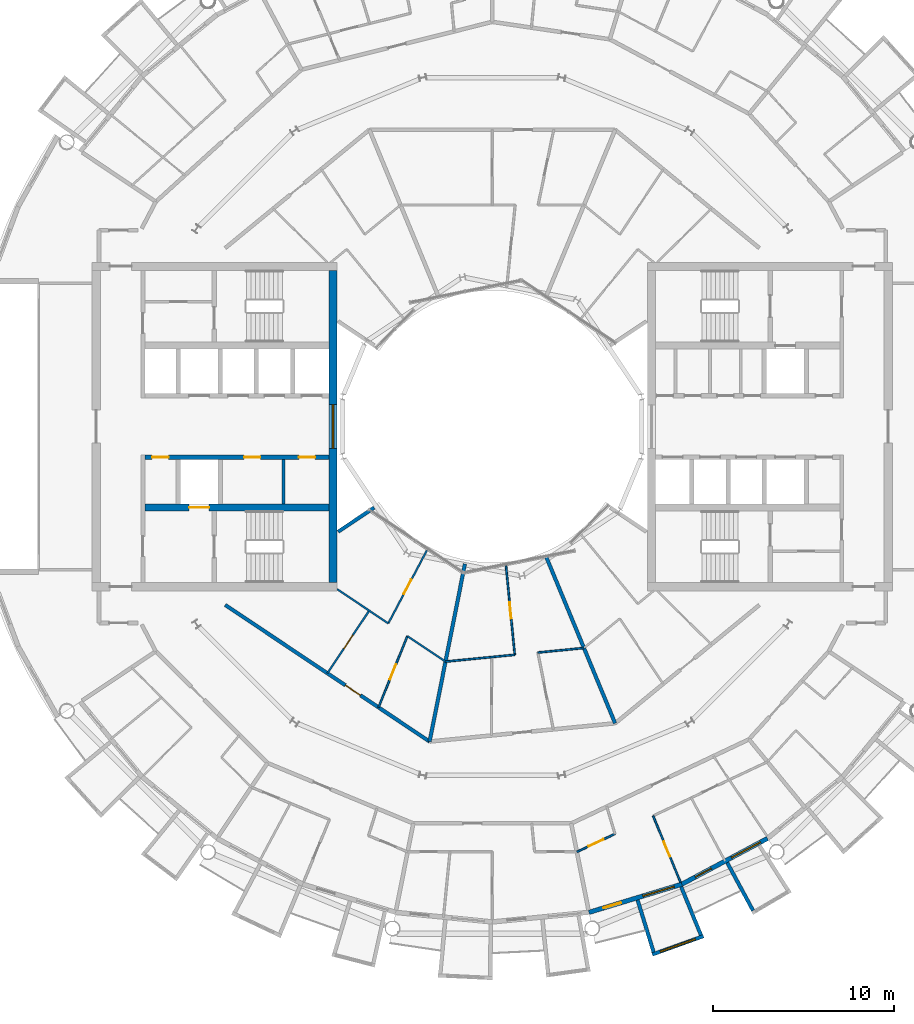
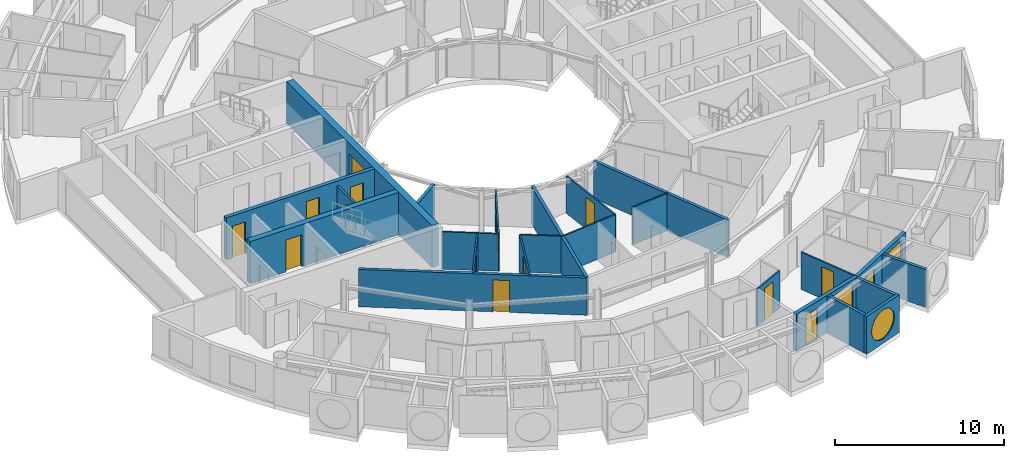
# One storey, part 17 of 29: 24 walls, 13 doors, 4 windows, 17 openings.
"""IFC4 building model written with IfcOpenShell, lengths in metres."""

from ifc_helpers import new_model, si_unit, direction, frame, frame_2d, origin, place, context, subcontext, project, spatial, rectangle, circle, extrude, material, layer, layer_set, type_object, element, fill, save


model = new_model("IFC4")

# Units and contexts
model_context = context("Model", 3, precision=1e-05, world=origin(), true_north=direction((0.0, 1.0)))
body_context = subcontext(model_context, "Body", "Model", "MODEL_VIEW")
ifc_project = project(units=[si_unit("LENGTHUNIT", "METRE"), si_unit("AREAUNIT", "SQUARE_METRE"), si_unit("VOLUMEUNIT", "CUBIC_METRE"), si_unit("PLANEANGLEUNIT", "RADIAN"), si_unit("MASSUNIT", "GRAM", prefix="KILO")], contexts=[model_context])

# Site, building, storey
site_placement = place(None, origin())
site = spatial("IfcSite", under=ifc_project, at=site_placement, CompositionType="ELEMENT")
building_placement = place(site_placement, origin())
building = spatial("IfcBuilding", under=site, at=building_placement, Name="Maasbend Ring Residences", CompositionType="ELEMENT")
storey_placement = place(building_placement, frame((0.0, 0.0, 212.699951171875)))
storey = spatial("IfcBuildingStorey", under=building, at=storey_placement, Name="L61", CompositionType="ELEMENT", Elevation=212.699951171875)

# Wall, openings, doors
ifc_material_1 = material(Name="Concrete C50/60", Category="concrete")
ifc_layer_1 = layer(ifc_material_1, 0.25)
ifc_layer_set_1 = layer_set([ifc_layer_1], Name="Concrete C50/60")
wall_type_1 = type_object("IfcWallType", Name="CORE WALL 250 C50/60", PredefinedType="SHEAR", material=ifc_layer_set_1)
wall_1_placement = place(storey_placement, frame((-9.0, -1.699951171875, 0.0), z_axis=(0.0, 0.0, 1.0), x_axis=(-1.0, 0.0, 0.0)))
wall_1 = element("IfcWall", 1, at=wall_1_placement, inside=storey, type_object=wall_type_1, Name="L61 core W wall SPN", PredefinedType="SHEAR", context=body_context, shape_type="SweptSolid", body=[
    extrude(rectangle(XDim=10.14990234375, YDim=0.25, at=frame_2d((5.074951171875, 0.0))), origin(), (0.0, 0.0, 1.0), 3.050048828125),
])
opening_1_placement = place(wall_1_placement, frame((0.762451171875, 0.0, 0.0)))
opening_1 = element("IfcOpeningElement", 2, at=opening_1_placement, cuts=wall_1, Name="Opening D-W6106", PredefinedType="OPENING", context=body_context, shape_type="SweptSolid", body=[
    extrude(rectangle(XDim=0.89990234375, YDim=2.300048828125, at=frame_2d((0.449951171875, 1.14990234375))), frame((0.0, 0.135009765625, 0.0), z_axis=(0.0, -1.0, 0.0), x_axis=(1.0, 0.0, 0.0)), (0.0, 0.0, 1.0), 0.27001953125),
])
opening_2_placement = place(wall_1_placement, frame((3.77490234375, 0.0, 0.0)))
opening_2 = element("IfcOpeningElement", 3, at=opening_2_placement, cuts=wall_1, Name="Opening D-W6107", PredefinedType="OPENING", context=body_context, shape_type="SweptSolid", body=[
    extrude(rectangle(XDim=0.89990234375, YDim=2.300048828125, at=frame_2d((0.449951171875, 1.14990234375))), frame((0.0, 0.135009765625, 0.0), z_axis=(0.0, -1.0, 0.0), x_axis=(1.0, 0.0, 0.0)), (0.0, 0.0, 1.0), 0.27001953125),
])
opening_3_placement = place(wall_1_placement, frame((8.83740234375, 0.0, 0.0)))
opening_3 = element("IfcOpeningElement", 4, at=opening_3_placement, cuts=wall_1, Name="Opening D-W6108", PredefinedType="OPENING", context=body_context, shape_type="SweptSolid", body=[
    extrude(rectangle(XDim=0.89990234375, YDim=2.300048828125, at=frame_2d((0.449951171875, 1.14990234375))), frame((0.0, 0.135009765625, 0.0), z_axis=(0.0, -1.0, 0.0), x_axis=(1.0, 0.0, 0.0)), (0.0, 0.0, 1.0), 0.27001953125),
])
ifc_material_2 = material(Name="Steel, powder coated", Category="steel")
door_type_1 = type_object("IfcDoorType", Name="ROOM DOOR 900 X 2300 FD30S", OperationType="NOTDEFINED", PredefinedType="DOOR", material=ifc_material_2)
door_1_placement = place(opening_1_placement, origin())
door_1 = element("IfcDoor", 5, at=door_1_placement, inside=storey, type_object=door_type_1, Name="Room door L61", OperationType="SINGLE_SWING_RIGHT", OverallHeight=2.300048828125, OverallWidth=0.89990234375, PredefinedType="DOOR", context=body_context, shape_type="SweptSolid", body=[
    extrude(rectangle(XDim=0.89990234375, YDim=2.300048828125, at=frame_2d((0.449951171875, 1.14990234375))), frame((0.0, 0.02490234375, 0.0), z_axis=(0.0, -1.0, 0.0), x_axis=(1.0, 0.0, 0.0)), (0.0, 0.0, 1.0), 0.050048828125),
])
fill(opening_1, door_1)
door_2_placement = place(opening_2_placement, origin())
door_2 = element("IfcDoor", 6, at=door_2_placement, inside=storey, type_object=door_type_1, Name="Room door L61", OperationType="SINGLE_SWING_RIGHT", OverallHeight=2.300048828125, OverallWidth=0.89990234375, PredefinedType="DOOR", context=body_context, shape_type="SweptSolid", body=[
    extrude(rectangle(XDim=0.89990234375, YDim=2.300048828125, at=frame_2d((0.449951171875, 1.14990234375))), frame((0.0, 0.02490234375, 0.0), z_axis=(0.0, -1.0, 0.0), x_axis=(1.0, 0.0, 0.0)), (0.0, 0.0, 1.0), 0.050048828125),
])
fill(opening_2, door_2)
door_3_placement = place(opening_3_placement, origin())
door_3 = element("IfcDoor", 7, at=door_3_placement, inside=storey, type_object=door_type_1, Name="Room door L61", OperationType="SINGLE_SWING_LEFT", OverallHeight=2.300048828125, OverallWidth=0.89990234375, PredefinedType="DOOR", context=body_context, shape_type="SweptSolid", body=[
    extrude(rectangle(XDim=0.89990234375, YDim=2.300048828125, at=frame_2d((0.449951171875, 1.14990234375))), frame((0.0, 0.02490234375, 0.0), z_axis=(0.0, -1.0, 0.0), x_axis=(1.0, 0.0, 0.0)), (0.0, 0.0, 1.0), 0.050048828125),
])
fill(opening_3, door_3)

# Wall, opening, door
ifc_material_3 = material(Name="Concrete C50/60", Category="concrete")
ifc_layer_2 = layer(ifc_material_3, 0.375)
ifc_layer_set_2 = layer_set([ifc_layer_2], Name="Concrete C50/60")
wall_type_2 = type_object("IfcWallType", Name="CORE WALL 375 C50/60", PredefinedType="SHEAR", material=ifc_layer_set_2)
wall_2_placement = place(storey_placement, frame((-9.0, -4.46240234375, 0.0), z_axis=(0.0, 0.0, 1.0), x_axis=(-1.0, 0.0, 0.0)))
wall_2 = element("IfcWall", 8, at=wall_2_placement, inside=storey, type_object=wall_type_2, Name="L61 core W wall BN", PredefinedType="SHEAR", context=body_context, shape_type="SweptSolid", body=[
    extrude(rectangle(XDim=10.14990234375, YDim=0.375, at=frame_2d((5.074951171875, 0.0))), origin(), (0.0, 0.0, 1.0), 3.050048828125),
])
opening_4_placement = place(wall_2_placement, frame((6.60009765625, 0.0, 0.0)))
opening_4 = element("IfcOpeningElement", 9, at=opening_4_placement, cuts=wall_2, Name="Opening LD-W6101", PredefinedType="OPENING", context=body_context, shape_type="SweptSolid", body=[
    extrude(rectangle(XDim=1.10009765625, YDim=2.300048828125, at=frame_2d((0.550048828125, 1.14990234375))), frame((0.0, 0.197509765625, 0.0), z_axis=(0.0, -1.0, 0.0), x_axis=(1.0, 0.0, 0.0)), (0.0, 0.0, 1.0), 0.39501953125),
])
ifc_material_4 = material(Name="Stainless steel 316", Category="steel")
door_type_2 = type_object("IfcDoorType", Name="LANDING DOOR 1100 X 2300 FD60", OperationType="DOUBLE_DOOR_SLIDING", PredefinedType="DOOR", material=ifc_material_4)
door_4_placement = place(opening_4_placement, origin())
door_4 = element("IfcDoor", 10, at=door_4_placement, inside=storey, type_object=door_type_2, Name="Landing door FF-W L61", OperationType="DOUBLE_DOOR_SLIDING", OverallHeight=2.300048828125, OverallWidth=1.10009765625, PredefinedType="DOOR", context=body_context, shape_type="SweptSolid", body=[
    extrude(rectangle(XDim=1.10009765625, YDim=2.300048828125, at=frame_2d((0.550048828125, 1.14990234375))), frame((0.0, 0.02490234375, 0.0), z_axis=(0.0, -1.0, 0.0), x_axis=(1.0, 0.0, 0.0)), (0.0, 0.0, 1.0), 0.050048828125),
])
fill(opening_4, door_4)

# Wall, opening, window
ifc_material_5 = material(Name="Concrete C50/60", Category="concrete")
ifc_layer_3 = layer(ifc_material_5, 0.449951171875)
ifc_layer_set_3 = layer_set([ifc_layer_3], Name="Concrete C50/60")
wall_type_3 = type_object("IfcWallType", Name="CORE WALL 450 C50/60", PredefinedType="SHEAR", material=ifc_layer_set_3)
wall_3_placement = place(storey_placement, frame((-8.77490234375, 8.60009765625, 0.0), z_axis=(0.0, 0.0, 1.0), x_axis=(0.0, -1.0, 0.0)))
wall_3 = element("IfcWall", 11, at=wall_3_placement, inside=storey, type_object=wall_type_3, Name="L61 core W wall PIN", PredefinedType="SHEAR", context=body_context, shape_type="SweptSolid", body=[
    extrude(rectangle(XDim=17.2001953125, YDim=0.449951171875, at=frame_2d((8.60009765625, 0.0))), origin(), (0.0, 0.0, 1.0), 3.050048828125),
])
opening_5_placement = place(wall_3_placement, frame((7.39990234375, 0.0, 0.10009765625)))
opening_5 = element("IfcOpeningElement", 12, at=opening_5_placement, cuts=wall_3, Name="Opening W-W6101", PredefinedType="OPENING", context=body_context, shape_type="SweptSolid", body=[
    extrude(rectangle(XDim=2.39990234375, YDim=2.199951171875, at=frame_2d((1.199951171875, 1.10009765625))), frame((0.0, 0.23486328125, 0.0), z_axis=(0.0, -1.0, 0.0), x_axis=(1.0, 0.0, 0.0)), (0.0, 0.0, 1.0), 0.469970703125),
])
ifc_material_6 = material(Name="Aluminium frame and clear glass", Category="aluminium")
window_type_1 = type_object("IfcWindowType", Name="FIXED WINDOW 2400 X 2200", PartitioningType="SINGLE_PANEL", PredefinedType="WINDOW", material=ifc_material_6)
window_1_placement = place(opening_5_placement, origin())
window_1 = element("IfcWindow", 13, at=window_1_placement, inside=storey, type_object=window_type_1, Name="Lobby window L61", OverallHeight=2.199951171875, OverallWidth=2.39990234375, PartitioningType="SINGLE_PANEL", PredefinedType="WINDOW", context=body_context, shape_type="SweptSolid", body=[
    extrude(rectangle(XDim=2.39990234375, YDim=2.199951171875, at=frame_2d((1.199951171875, 1.10009765625))), frame((0.0, 0.030029296875, 0.0), z_axis=(0.0, -1.0, 0.0), x_axis=(1.0, 0.0, 0.0)), (0.0, 0.0, 1.0), 0.06005859375),
])
fill(opening_5, window_1)

# Wall, opening, door
ifc_material_7 = material(Name="Concrete C30/37", Category="concrete")
ifc_layer_4 = layer(ifc_material_7, 0.199951171875)
ifc_layer_set_4 = layer_set([ifc_layer_4], Name="Concrete C30/37")
wall_type_4 = type_object("IfcWallType", Name="CORRIDOR WALL 200 CONCRETE", PredefinedType="PARTITIONING", material=ifc_layer_set_4)
wall_4_placement = place(storey_placement, frame((-14.717041015625, -9.833984375, 0.0), z_axis=(0.0, 0.0, 1.0), x_axis=(0.831492679744, -0.555535708603, 0.0)))
wall_4 = element("IfcWall", 14, at=wall_4_placement, inside=storey, type_object=wall_type_4, Name="U-L61-w022", PredefinedType="PARTITIONING", context=body_context, shape_type="SweptSolid", body=[
    extrude(rectangle(XDim=13.54931640625, YDim=0.199951171875, at=frame_2d((6.774658203125, 0.0))), origin(), (0.0, 0.0, 1.0), 2.699951171875),
])
opening_6_placement = place(wall_4_placement, frame((7.966064453125, 0.0, 0.0)))
opening_6 = element("IfcOpeningElement", 15, at=opening_6_placement, cuts=wall_4, Name="Opening D-6156", PredefinedType="OPENING", context=body_context, shape_type="SweptSolid", body=[
    extrude(rectangle(XDim=1.0, YDim=2.300048828125, at=frame_2d((0.5, 1.14990234375))), frame((0.0, 0.10986328125, 0.0), z_axis=(0.0, -1.0, 0.0), x_axis=(1.0, 0.0, 0.0)), (0.0, 0.0, 1.0), 0.219970703125),
])
ifc_material_8 = material(Name="Timber, fire-rated, painted", Category="wood")
door_type_3 = type_object("IfcDoorType", Name="FLAT ENTRANCE DOOR 1000 X 2300 FIRE-RATED", OperationType="NOTDEFINED", PredefinedType="DOOR", material=ifc_material_8)
door_5_placement = place(opening_6_placement, origin())
door_5 = element("IfcDoor", 16, at=door_5_placement, inside=storey, type_object=door_type_3, Name="D-6156", OperationType="SINGLE_SWING_RIGHT", OverallHeight=2.300048828125, OverallWidth=1.0, PredefinedType="DOOR", context=body_context, shape_type="SweptSolid", body=[
    extrude(rectangle(XDim=1.0, YDim=2.300048828125, at=frame_2d((0.5, 1.14990234375))), frame((0.0, 0.02490234375, 0.0), z_axis=(0.0, -1.0, 0.0), x_axis=(1.0, 0.0, 0.0)), (0.0, 0.0, 1.0), 0.050048828125),
])
fill(opening_6, door_5)

# Wall, opening, window
ifc_material_9 = material(Name="Pale anodised aluminium panel", Category="aluminium")
ifc_layer_5 = layer(ifc_material_9, 0.199951171875)
ifc_layer_set_5 = layer_set([ifc_layer_5], Name="EW-BOX")
wall_type_5 = type_object("IfcWallType", Name="EW-BOX", PredefinedType="SOLIDWALL", material=ifc_layer_set_5)
wall_5_placement = place(storey_placement, frame((8.820068359375, -29.093017578125, -0.030029296875), z_axis=(0.0, 0.0, 1.0), x_axis=(0.941461077774, 0.337121697664, 0.0)))
wall_5 = element("IfcWall", 17, at=wall_5_placement, inside=storey, type_object=wall_type_5, Name="Box front S14", PredefinedType="SOLIDWALL", context=body_context, shape_type="SweptSolid", body=[
    extrude(rectangle(XDim=2.9931640625, YDim=0.199951171875, at=frame_2d((1.49658203125, 0.0))), origin(), (0.0, 0.0, 1.0), 2.72998046875),
])
opening_7_placement = place(wall_5_placement, frame((0.45654296875, 0.0, 0.330078125)))
opening_7 = element("IfcOpeningElement", 18, at=opening_7_placement, cuts=wall_5, Name="Opening W-RD", PredefinedType="OPENING", context=body_context, shape_type="SweptSolid", body=[
    extrude(circle(Radius=1.0400390625, at=frame_2d((1.0400390625, 1.0400390625))), frame((0.0, 0.10986328125, 0.0), z_axis=(0.0, -1.0, 0.0), x_axis=(1.0, 0.0, 0.0)), (0.0, 0.0, 1.0), 0.219970703125),
])
ifc_material_10 = material(Name="Aluminium and clear glass", Category="aluminium")
window_type_2 = type_object("IfcWindowType", Name="W-RD", PartitioningType="SINGLE_PANEL", PredefinedType="WINDOW", material=ifc_material_10)
window_2_placement = place(opening_7_placement, origin())
window_2 = element("IfcWindow", 19, at=window_2_placement, inside=storey, type_object=window_type_2, Name="Round window S14", OverallHeight=2.080078125, OverallWidth=2.080078125, PartitioningType="SINGLE_PANEL", PredefinedType="WINDOW", context=body_context, shape_type="SweptSolid", body=[
    extrude(circle(Radius=1.0400390625, at=frame_2d((1.0400390625, 1.0400390625))), frame((0.0, 0.030029296875, 0.0), z_axis=(0.0, -1.0, 0.0), x_axis=(1.0, 0.0, 0.0)), (0.0, 0.0, 1.0), 0.06005859375),
])
fill(opening_7, window_2)

# Walls
wall_6_placement = place(storey_placement, frame((8.009033203125, -26.092041015625, -0.030029296875), z_axis=(0.0, 0.0, 1.0), x_axis=(0.293406695073, -0.955987715029, 0.0)))
element("IfcWall", 20, at=wall_6_placement, inside=storey, type_object=wall_type_5, Name="Box side wall S14 left", PredefinedType="SOLIDWALL", context=body_context, shape_type="SweptSolid", body=[
    extrude(rectangle(XDim=3.00634765625, YDim=0.199951171875, at=frame_2d((1.503173828125, 0.0))), origin(), (0.0, 0.0, 1.0), 2.72998046875),
])
wall_7_placement = place(storey_placement, frame((10.408935546875, -25.364013671875, -0.030029296875), z_axis=(0.0, 0.0, 1.0), x_axis=(0.379509886562, -0.925187681501, 0.0)))
element("IfcWall", 21, at=wall_7_placement, inside=storey, type_object=wall_type_5, Name="Box side wall S14 right", PredefinedType="SOLIDWALL", context=body_context, shape_type="SweptSolid", body=[
    extrude(rectangle(XDim=2.882568359375, YDim=0.199951171875, at=frame_2d((1.44140625, 0.0))), origin(), (0.0, 0.0, 1.0), 2.72998046875),
])
wall_8_placement = place(storey_placement, frame((12.945068359375, -24.029052734375, -0.030029296875), z_axis=(0.0, 0.0, 1.0), x_axis=(0.474424310775, -0.88029629861, 0.0)))
element("IfcWall", 22, at=wall_8_placement, inside=storey, type_object=wall_type_5, Name="Box side wall S16 left", PredefinedType="SOLIDWALL", context=body_context, shape_type="SweptSolid", body=[
    extrude(rectangle(XDim=3.005859375, YDim=0.199951171875, at=frame_2d((1.5029296875, 0.0))), origin(), (0.0, 0.0, 1.0), 2.72998046875),
])

# Wall, openings, door, window
ifc_material_11 = material(Name="Aluminium clad insulated panel", Category="aluminium")
ifc_layer_6 = layer(ifc_material_11, 0.25)
ifc_layer_set_6 = layer_set([ifc_layer_6], Name="EW-GL")
wall_type_6 = type_object("IfcWallType", Name="EW-GL", PredefinedType="SOLIDWALL", material=ifc_layer_set_6)
wall_9_placement = place(storey_placement, frame((5.325927734375, -26.77490234375, 0.0), z_axis=(0.0, 0.0, 1.0), x_axis=(0.956965678721, 0.290201119486, 0.0)))
wall_9 = element("IfcWall", 23, at=wall_9_placement, inside=storey, type_object=wall_type_6, Name="External wall S07", PredefinedType="SOLIDWALL", context=body_context, shape_type="SweptSolid", body=[
    extrude(rectangle(XDim=5.351318359375, YDim=0.25, at=frame_2d((2.67578125, 0.0))), origin(), (0.0, 0.0, 1.0), 2.699951171875),
])
opening_8_placement = place(wall_9_placement, frame((0.841064453125, 0.0, 0.0)))
opening_8 = element("IfcOpeningElement", 24, at=opening_8_placement, cuts=wall_9, Name="Opening D-LG", PredefinedType="OPENING", context=body_context, shape_type="SweptSolid", body=[
    extrude(rectangle(XDim=1.0, YDim=2.199951171875, at=frame_2d((0.5, 1.10009765625))), frame((0.0, 0.135009765625, 0.0), z_axis=(0.0, -1.0, 0.0), x_axis=(1.0, 0.0, 0.0)), (0.0, 0.0, 1.0), 0.27001953125),
])
opening_9_placement = place(wall_9_placement, frame((3.110595703125, 0.0, 0.300048828125)))
opening_9 = element("IfcOpeningElement", 25, at=opening_9_placement, cuts=wall_9, Name="Opening W-BX", PredefinedType="OPENING", context=body_context, shape_type="SweptSolid", body=[
    extrude(rectangle(XDim=1.800048828125, YDim=2.10009765625, at=frame_2d((0.89990234375, 1.050048828125))), frame((0.0, 0.135009765625, 0.0), z_axis=(0.0, -1.0, 0.0), x_axis=(1.0, 0.0, 0.0)), (0.0, 0.0, 1.0), 0.27001953125),
])
ifc_material_12 = material(Name="Aluminium and clear glass", Category="aluminium")
door_type_4 = type_object("IfcDoorType", Name="D-LG", OperationType="SINGLE_SWING_LEFT", PredefinedType="DOOR", material=ifc_material_12)
door_6_placement = place(opening_8_placement, origin())
door_6 = element("IfcDoor", 26, at=door_6_placement, inside=storey, type_object=door_type_4, Name="Loggia door S13", OperationType="SINGLE_SWING_LEFT", OverallHeight=2.199951171875, OverallWidth=1.0, PredefinedType="DOOR", context=body_context, shape_type="SweptSolid", body=[
    extrude(rectangle(XDim=1.0, YDim=2.199951171875, at=frame_2d((0.5, 1.10009765625))), frame((0.0, 0.02490234375, 0.0), z_axis=(0.0, -1.0, 0.0), x_axis=(1.0, 0.0, 0.0)), (0.0, 0.0, 1.0), 0.050048828125),
])
fill(opening_8, door_6)
ifc_material_13 = material(Name="Aluminium and clear glass", Category="aluminium")
window_type_3 = type_object("IfcWindowType", Name="W-BX", PartitioningType="DOUBLE_PANEL_VERTICAL", PredefinedType="WINDOW", material=ifc_material_13)
window_3_placement = place(opening_9_placement, origin())
window_3 = element("IfcWindow", 27, at=window_3_placement, inside=storey, type_object=window_type_3, Name="Window S14 room to box", OverallHeight=2.10009765625, OverallWidth=1.800048828125, PartitioningType="SINGLE_PANEL", PredefinedType="WINDOW", context=body_context, shape_type="SweptSolid", body=[
    extrude(rectangle(XDim=1.800048828125, YDim=2.10009765625, at=frame_2d((0.89990234375, 1.050048828125))), frame((0.0, 0.030029296875, 0.0), z_axis=(0.0, -1.0, 0.0), x_axis=(1.0, 0.0, 0.0)), (0.0, 0.0, 1.0), 0.06005859375),
])
fill(opening_9, window_3)

wall_10_placement = place(storey_placement, frame((10.447021484375, -25.221923828125, 0.0), z_axis=(0.0, 0.0, 1.0), x_axis=(0.881915646801, 0.471407246368, 0.0)))
wall_10 = element("IfcWall", 28, at=wall_10_placement, inside=storey, type_object=wall_type_6, Name="External wall S08", PredefinedType="SOLIDWALL", context=body_context, shape_type="SweptSolid", body=[
    extrude(rectangle(XDim=5.35205078125, YDim=0.25, at=frame_2d((2.676025390625, 0.0))), origin(), (0.0, 0.0, 1.0), 2.699951171875),
])
opening_10_placement = place(wall_10_placement, frame((0.841064453125, 0.0, 0.0)))
opening_10 = element("IfcOpeningElement", 29, at=opening_10_placement, cuts=wall_10, Name="Opening D-LG", PredefinedType="OPENING", context=body_context, shape_type="SweptSolid", body=[
    extrude(rectangle(XDim=1.0, YDim=2.199951171875, at=frame_2d((0.5, 1.10009765625))), frame((0.0, 0.135009765625, 0.0), z_axis=(0.0, -1.0, 0.0), x_axis=(1.0, 0.0, 0.0)), (0.0, 0.0, 1.0), 0.27001953125),
])
opening_11_placement = place(wall_10_placement, frame((3.110595703125, 0.0, 0.300048828125)))
opening_11 = element("IfcOpeningElement", 30, at=opening_11_placement, cuts=wall_10, Name="Opening W-BX", PredefinedType="OPENING", context=body_context, shape_type="SweptSolid", body=[
    extrude(rectangle(XDim=1.800048828125, YDim=2.10009765625, at=frame_2d((0.89990234375, 1.050048828125))), frame((0.0, 0.135009765625, 0.0), z_axis=(0.0, -1.0, 0.0), x_axis=(1.0, 0.0, 0.0)), (0.0, 0.0, 1.0), 0.27001953125),
])
door_7_placement = place(opening_10_placement, origin())
door_7 = element("IfcDoor", 31, at=door_7_placement, inside=storey, type_object=door_type_4, Name="Loggia door S15", OperationType="SINGLE_SWING_LEFT", OverallHeight=2.199951171875, OverallWidth=1.0, PredefinedType="DOOR", context=body_context, shape_type="SweptSolid", body=[
    extrude(rectangle(XDim=1.0, YDim=2.199951171875, at=frame_2d((0.5, 1.10009765625))), frame((0.0, 0.02490234375, 0.0), z_axis=(0.0, -1.0, 0.0), x_axis=(1.0, 0.0, 0.0)), (0.0, 0.0, 1.0), 0.050048828125),
])
fill(opening_10, door_7)
window_4_placement = place(opening_11_placement, origin())
window_4 = element("IfcWindow", 32, at=window_4_placement, inside=storey, type_object=window_type_3, Name="Window S16 room to box", OverallHeight=2.10009765625, OverallWidth=1.800048828125, PartitioningType="SINGLE_PANEL", PredefinedType="WINDOW", context=body_context, shape_type="SweptSolid", body=[
    extrude(rectangle(XDim=1.800048828125, YDim=2.10009765625, at=frame_2d((0.89990234375, 1.050048828125))), frame((0.0, 0.030029296875, 0.0), z_axis=(0.0, -1.0, 0.0), x_axis=(1.0, 0.0, 0.0)), (0.0, 0.0, 1.0), 0.06005859375),
])
fill(opening_11, window_4)

# Wall, opening, door
ifc_material_14 = material(Name="Gypsum board on steel studs", Category="steel")
ifc_layer_7 = layer(ifc_material_14, 0.10009765625)
ifc_layer_set_7 = layer_set([ifc_layer_7], Name="PARTITION 100 GYPSUM")
wall_type_7 = type_object("IfcWallType", Name="PARTITION 100 GYPSUM", PredefinedType="PARTITIONING", material=ifc_layer_set_7)
wall_11_placement = place(storey_placement, frame((4.6630859375, -23.44091796875, 0.0), z_axis=(0.0, 0.0, 1.0), x_axis=(0.904028696625, 0.427471771791, 0.0)))
wall_11 = element("IfcWall", 33, at=wall_11_placement, inside=storey, type_object=wall_type_7, Name="U-L61-w009", PredefinedType="PARTITIONING", context=body_context, shape_type="SweptSolid", body=[
    extrude(rectangle(XDim=2.32275390625, YDim=0.10009765625, at=frame_2d((1.161376953125, 0.0))), origin(), (0.0, 0.0, 1.0), 2.699951171875),
])
opening_12_placement = place(wall_11_placement, frame((0.7109375, 0.0, 0.0)))
opening_12 = element("IfcOpeningElement", 34, at=opening_12_placement, cuts=wall_11, Name="Opening D-6148", PredefinedType="OPENING", context=body_context, shape_type="SweptSolid", body=[
    extrude(rectangle(XDim=0.89990234375, YDim=2.300048828125, at=frame_2d((0.449951171875, 1.14990234375))), frame((0.0, 0.06005859375, 0.0), z_axis=(0.0, -1.0, 0.0), x_axis=(1.0, 0.0, 0.0)), (0.0, 0.0, 1.0), 0.1201171875),
])
ifc_material_15 = material(Name="Timber, painted", Category="wood")
door_type_5 = type_object("IfcDoorType", Name="INTERNAL DOOR 900 X 2300", OperationType="NOTDEFINED", PredefinedType="DOOR", material=ifc_material_15)
door_8_placement = place(opening_12_placement, origin())
door_8 = element("IfcDoor", 35, at=door_8_placement, inside=storey, type_object=door_type_5, Name="D-6148", OperationType="SINGLE_SWING_LEFT", OverallHeight=2.300048828125, OverallWidth=0.89990234375, PredefinedType="DOOR", context=body_context, shape_type="SweptSolid", body=[
    extrude(rectangle(XDim=0.89990234375, YDim=2.300048828125, at=frame_2d((0.449951171875, 1.14990234375))), frame((0.0, 0.02490234375, 0.0), z_axis=(0.0, -1.0, 0.0), x_axis=(1.0, 0.0, 0.0)), (0.0, 0.0, 1.0), 0.050048828125),
])
fill(opening_12, door_8)

# Walls
wall_12_placement = place(storey_placement, frame((-2.580078125, -12.955078125, 0.0), z_axis=(0.0, 0.0, 1.0), x_axis=(0.995206557747, 0.097795232084, 0.0)))
element("IfcWall", 36, at=wall_12_placement, inside=storey, type_object=wall_type_7, Name="U-L61-w023", PredefinedType="PARTITIONING", context=body_context, shape_type="SweptSolid", body=[
    extrude(rectangle(XDim=3.83447265625, YDim=0.10009765625, at=frame_2d((1.917236328125, 0.0))), origin(), (0.0, 0.0, 1.0), 2.699951171875),
])
wall_13_placement = place(storey_placement, frame((2.510986328125, -12.455078125, 0.0), z_axis=(0.0, 0.0, 1.0), x_axis=(0.995205948766, 0.09780142913, 0.0)))
element("IfcWall", 37, at=wall_13_placement, inside=storey, type_object=wall_type_7, Name="U-L61-w024", PredefinedType="PARTITIONING", context=body_context, shape_type="SweptSolid", body=[
    extrude(rectangle(XDim=2.55615234375, YDim=0.10009765625, at=frame_2d((1.278076171875, 0.0))), origin(), (0.0, 0.0, 1.0), 2.699951171875),
])
wall_14_placement = place(storey_placement, frame((-8.549072265625, -8.965087890625, 0.0), z_axis=(0.0, 0.0, 1.0), x_axis=(0.831463102602, -0.555579975352, 0.0)))
element("IfcWall", 38, at=wall_14_placement, inside=storey, type_object=wall_type_7, Name="U-L61-w027", PredefinedType="PARTITIONING", context=body_context, shape_type="SweptSolid", body=[
    extrude(rectangle(XDim=3.392822265625, YDim=0.10009765625, at=frame_2d((1.6962890625, 0.0))), origin(), (0.0, 0.0, 1.0), 2.699951171875),
])
wall_15_placement = place(storey_placement, frame((-4.677001953125, -11.552001953125, 0.0), z_axis=(0.0, 0.0, 1.0), x_axis=(0.83155963659, -0.555435478517, 0.0)))
element("IfcWall", 39, at=wall_15_placement, inside=storey, type_object=wall_type_7, Name="U-L61-w028", PredefinedType="PARTITIONING", context=body_context, shape_type="SweptSolid", body=[
    extrude(rectangle(XDim=2.52783203125, YDim=0.10009765625, at=frame_2d((1.263916015625, 0.0))), origin(), (0.0, 0.0, 1.0), 2.699951171875),
])

# Wall, opening, door
wall_16_placement = place(storey_placement, frame((-9.0849609375, -13.596923828125, 0.0), z_axis=(0.0, 0.0, 1.0), x_axis=(0.555528237031, 0.831497671591, 0.0)))
wall_16 = element("IfcWall", 40, at=wall_16_placement, inside=storey, type_object=wall_type_7, Name="U-L61-w052", PredefinedType="PARTITIONING", context=body_context, shape_type="SweptSolid", body=[
    extrude(rectangle(XDim=4.149169921875, YDim=0.10009765625, at=frame_2d((2.07470703125, 0.0))), origin(), (0.0, 0.0, 1.0), 2.699951171875),
])
opening_13_placement = place(wall_16_placement, frame((1.625, 0.0, 0.0)))
opening_13 = element("IfcOpeningElement", 41, at=opening_13_placement, cuts=wall_16, Name="Opening D-6158", PredefinedType="OPENING", context=body_context, shape_type="SweptSolid", body=[
    extrude(rectangle(XDim=0.89990234375, YDim=2.300048828125, at=frame_2d((0.449951171875, 1.14990234375))), frame((0.0, 0.06005859375, 0.0), z_axis=(0.0, -1.0, 0.0), x_axis=(1.0, 0.0, 0.0)), (0.0, 0.0, 1.0), 0.1201171875),
])
door_9_placement = place(opening_13_placement, origin())
door_9 = element("IfcDoor", 42, at=door_9_placement, inside=storey, type_object=door_type_5, Name="D-6158", OperationType="SINGLE_SWING_LEFT", OverallHeight=2.300048828125, OverallWidth=0.89990234375, PredefinedType="DOOR", context=body_context, shape_type="SweptSolid", body=[
    extrude(rectangle(XDim=0.89990234375, YDim=2.300048828125, at=frame_2d((0.449951171875, 1.14990234375))), frame((0.0, 0.02490234375, 0.0), z_axis=(0.0, -1.0, 0.0), x_axis=(1.0, 0.0, 0.0)), (0.0, 0.0, 1.0), 0.050048828125),
])
fill(opening_13, door_9)

wall_17_placement = place(storey_placement, frame((-6.26904296875, -15.47802734375, 0.0), z_axis=(0.0, 0.0, 1.0), x_axis=(0.375509828455, 0.926818411952, 0.0)))
wall_17 = element("IfcWall", 43, at=wall_17_placement, inside=storey, type_object=wall_type_7, Name="U-L61-w056", PredefinedType="PARTITIONING", context=body_context, shape_type="SweptSolid", body=[
    extrude(rectangle(XDim=4.237060546875, YDim=0.10009765625, at=frame_2d((2.11865234375, 0.0))), origin(), (0.0, 0.0, 1.0), 2.699951171875),
])
opening_14_placement = place(wall_17_placement, frame((1.6689453125, 0.0, 0.0)))
opening_14 = element("IfcOpeningElement", 44, at=opening_14_placement, cuts=wall_17, Name="Opening D-6157", PredefinedType="OPENING", context=body_context, shape_type="SweptSolid", body=[
    extrude(rectangle(XDim=0.89990234375, YDim=2.300048828125, at=frame_2d((0.449951171875, 1.14990234375))), frame((0.0, 0.06005859375, 0.0), z_axis=(0.0, -1.0, 0.0), x_axis=(1.0, 0.0, 0.0)), (0.0, 0.0, 1.0), 0.1201171875),
])
door_10_placement = place(opening_14_placement, origin())
door_10 = element("IfcDoor", 45, at=door_10_placement, inside=storey, type_object=door_type_5, Name="D-6157", OperationType="SINGLE_SWING_LEFT", OverallHeight=2.300048828125, OverallWidth=0.89990234375, PredefinedType="DOOR", context=body_context, shape_type="SweptSolid", body=[
    extrude(rectangle(XDim=0.89990234375, YDim=2.300048828125, at=frame_2d((0.449951171875, 1.14990234375))), frame((0.0, 0.02490234375, 0.0), z_axis=(0.0, -1.0, 0.0), x_axis=(1.0, 0.0, 0.0)), (0.0, 0.0, 1.0), 0.050048828125),
])
fill(opening_14, door_10)

wall_18_placement = place(storey_placement, frame((-5.72900390625, -10.84912109375, 0.0), z_axis=(0.0, 0.0, 1.0), x_axis=(0.466962677975, 0.884277025246, 0.0)))
wall_18 = element("IfcWall", 46, at=wall_18_placement, inside=storey, type_object=wall_type_7, Name="U-L61-w057", PredefinedType="PARTITIONING", context=body_context, shape_type="SweptSolid", body=[
    extrude(rectangle(XDim=4.548583984375, YDim=0.10009765625, at=frame_2d((2.2744140625, 0.0))), origin(), (0.0, 0.0, 1.0), 2.699951171875),
])
opening_15_placement = place(wall_18_placement, frame((1.823974609375, 0.0, 0.0)))
opening_15 = element("IfcOpeningElement", 47, at=opening_15_placement, cuts=wall_18, Name="Opening D-6159", PredefinedType="OPENING", context=body_context, shape_type="SweptSolid", body=[
    extrude(rectangle(XDim=0.89990234375, YDim=2.300048828125, at=frame_2d((0.449951171875, 1.14990234375))), frame((0.0, 0.06005859375, 0.0), z_axis=(0.0, -1.0, 0.0), x_axis=(1.0, 0.0, 0.0)), (0.0, 0.0, 1.0), 0.1201171875),
])
door_11_placement = place(opening_15_placement, origin())
door_11 = element("IfcDoor", 48, at=door_11_placement, inside=storey, type_object=door_type_5, Name="D-6159", OperationType="SINGLE_SWING_RIGHT", OverallHeight=2.300048828125, OverallWidth=0.89990234375, PredefinedType="DOOR", context=body_context, shape_type="SweptSolid", body=[
    extrude(rectangle(XDim=0.89990234375, YDim=2.300048828125, at=frame_2d((0.449951171875, 1.14990234375))), frame((0.0, 0.02490234375, 0.0), z_axis=(0.0, -1.0, 0.0), x_axis=(1.0, 0.0, 0.0)), (0.0, 0.0, 1.0), 0.050048828125),
])
fill(opening_15, door_11)

wall_19_placement = place(storey_placement, frame((0.757080078125, -7.68310546875, 0.0), z_axis=(0.0, 0.0, 1.0), x_axis=(0.097960786067, -0.995190275472, 0.0)))
wall_19 = element("IfcWall", 49, at=wall_19_placement, inside=storey, type_object=wall_type_7, Name="U-L61-w067", PredefinedType="PARTITIONING", context=body_context, shape_type="SweptSolid", body=[
    extrude(rectangle(XDim=4.919677734375, YDim=0.10009765625, at=frame_2d((2.4599609375, 0.0))), origin(), (0.0, 0.0, 1.0), 2.699951171875),
])
opening_16_placement = place(wall_19_placement, frame((2.010009765625, 0.0, 0.0)))
opening_16 = element("IfcOpeningElement", 50, at=opening_16_placement, cuts=wall_19, Name="Opening D-6163", PredefinedType="OPENING", context=body_context, shape_type="SweptSolid", body=[
    extrude(rectangle(XDim=0.89990234375, YDim=2.300048828125, at=frame_2d((0.449951171875, 1.14990234375))), frame((0.0, 0.06005859375, 0.0), z_axis=(0.0, -1.0, 0.0), x_axis=(1.0, 0.0, 0.0)), (0.0, 0.0, 1.0), 0.1201171875),
])
door_12_placement = place(opening_16_placement, origin())
door_12 = element("IfcDoor", 51, at=door_12_placement, inside=storey, type_object=door_type_5, Name="D-6163", OperationType="SINGLE_SWING_LEFT", OverallHeight=2.300048828125, OverallWidth=0.89990234375, PredefinedType="DOOR", context=body_context, shape_type="SweptSolid", body=[
    extrude(rectangle(XDim=0.89990234375, YDim=2.300048828125, at=frame_2d((0.449951171875, 1.14990234375))), frame((0.0, 0.02490234375, 0.0), z_axis=(0.0, -1.0, 0.0), x_axis=(1.0, 0.0, 0.0)), (0.0, 0.0, 1.0), 0.050048828125),
])
fill(opening_16, door_12)

wall_20_placement = place(storey_placement, frame((8.862060546875, -21.4541015625, 0.0), z_axis=(0.0, 0.0, 1.0), x_axis=(0.381852842178, -0.924223136975, 0.0)))
wall_20 = element("IfcWall", 52, at=wall_20_placement, inside=storey, type_object=wall_type_7, Name="U-L61-w082", PredefinedType="PARTITIONING", context=body_context, shape_type="SweptSolid", body=[
    extrude(rectangle(XDim=3.962158203125, YDim=0.10009765625, at=frame_2d((1.98095703125, 0.0))), origin(), (0.0, 0.0, 1.0), 2.699951171875),
])
opening_17_placement = place(wall_20_placement, frame((1.531005859375, 0.0, 0.0)))
opening_17 = element("IfcOpeningElement", 53, at=opening_17_placement, cuts=wall_20, Name="Opening D-6150", PredefinedType="OPENING", context=body_context, shape_type="SweptSolid", body=[
    extrude(rectangle(XDim=0.89990234375, YDim=2.300048828125, at=frame_2d((0.449951171875, 1.14990234375))), frame((0.0, 0.06005859375, 0.0), z_axis=(0.0, -1.0, 0.0), x_axis=(1.0, 0.0, 0.0)), (0.0, 0.0, 1.0), 0.1201171875),
])
door_13_placement = place(opening_17_placement, origin())
door_13 = element("IfcDoor", 54, at=door_13_placement, inside=storey, type_object=door_type_5, Name="D-6150", OperationType="SINGLE_SWING_LEFT", OverallHeight=2.300048828125, OverallWidth=0.89990234375, PredefinedType="DOOR", context=body_context, shape_type="SweptSolid", body=[
    extrude(rectangle(XDim=0.89990234375, YDim=2.300048828125, at=frame_2d((0.449951171875, 1.14990234375))), frame((0.0, 0.02490234375, 0.0), z_axis=(0.0, -1.0, 0.0), x_axis=(1.0, 0.0, 0.0)), (0.0, 0.0, 1.0), 0.050048828125),
])
fill(opening_17, door_13)

# Walls
ifc_material_16 = material(Name="Gypsum board on steel studs", Category="steel")
ifc_layer_8 = layer(ifc_material_16, 0.14990234375)
ifc_layer_set_8 = layer_set([ifc_layer_8], Name="PARTITION 150 EI 60")
wall_type_8 = type_object("IfcWallType", Name="PARTITION 150 EI 60", PredefinedType="PARTITIONING", material=ifc_layer_set_8)
wall_21_placement = place(storey_placement, frame((-11.5, -1.824951171875, 0.0), z_axis=(0.0, 0.0, 1.0), x_axis=(0.0, -1.0, 0.0)))
element("IfcWall", 55, at=wall_21_placement, inside=storey, type_object=wall_type_8, Name="L61 core W wall PRN1150", PredefinedType="PARTITIONING", context=body_context, shape_type="SweptSolid", body=[
    extrude(rectangle(XDim=2.449951171875, YDim=0.14990234375, at=frame_2d((1.22509765625, 0.0))), origin(), (0.0, 0.0, 1.0), 2.699951171875),
])
ifc_material_17 = material(Name="Concrete C30/37", Category="concrete")
ifc_layer_9 = layer(ifc_material_17, 0.199951171875)
ifc_layer_set_9 = layer_set([ifc_layer_9], Name="Concrete C30/37")
wall_type_9 = type_object("IfcWallType", Name="PARTY WALL 200 CONCRETE", PredefinedType="PARTITIONING", material=ifc_layer_set_9)
wall_22_placement = place(storey_placement, frame((-6.512939453125, -4.471923828125, 0.0), z_axis=(0.0, 0.0, 1.0), x_axis=(-0.831403409976, -0.555669299026, 0.0)))
element("IfcWall", 56, at=wall_22_placement, inside=storey, type_object=wall_type_9, Name="U-L61-w031", PredefinedType="PARTITIONING", context=body_context, shape_type="SweptSolid", body=[
    extrude(rectangle(XDim=2.382568359375, YDim=0.199951171875, at=frame_2d((1.19140625, 0.0))), origin(), (0.0, 0.0, 1.0), 2.699951171875),
])
wall_23_placement = place(storey_placement, frame((-3.452880859375, -17.360107421875, 0.0), z_axis=(0.0, 0.0, 1.0), x_axis=(0.19507162238, 0.980788999807, 0.0)))
element("IfcWall", 57, at=wall_23_placement, inside=storey, type_object=wall_type_9, Name="U-L61-w060", PredefinedType="PARTITIONING", context=body_context, shape_type="SweptSolid", body=[
    extrude(rectangle(XDim=9.979736328125, YDim=0.199951171875, at=frame_2d((4.98974609375, 0.0))), origin(), (0.0, 0.0, 1.0), 2.699951171875),
])
wall_24_placement = place(storey_placement, frame((2.951904296875, -7.133056640625, 0.0), z_axis=(0.0, 0.0, 1.0), x_axis=(0.382570007985, -0.923926506271, 0.0)))
element("IfcWall", 58, at=wall_24_placement, inside=storey, type_object=wall_type_9, Name="U-L61-w073", PredefinedType="PARTITIONING", context=body_context, shape_type="SweptSolid", body=[
    extrude(rectangle(XDim=9.980224609375, YDim=0.199951171875, at=frame_2d((4.990234375, 0.0))), origin(), (0.0, 0.0, 1.0), 2.699951171875),
])

save(model, "model.ifc")
